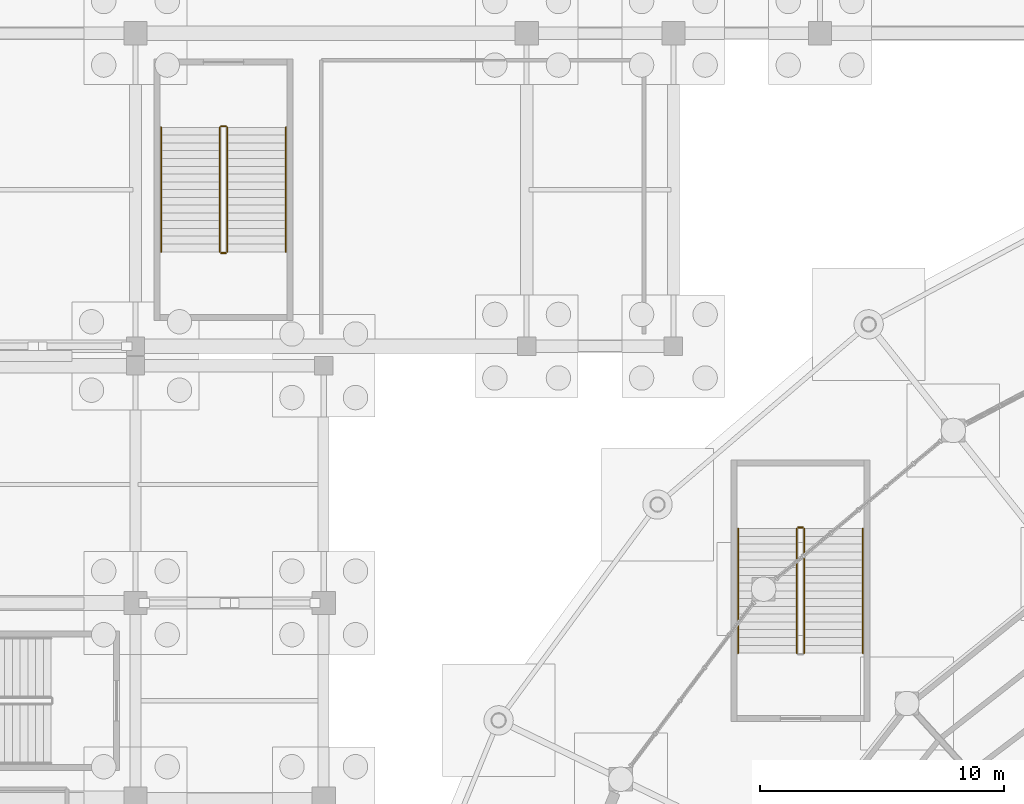
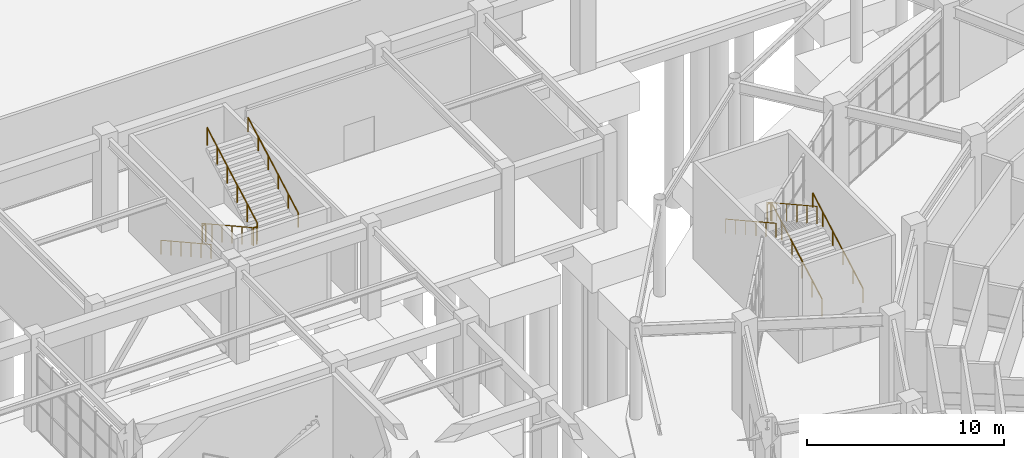
# One storey, part 110 of 121: 11 railings.
"""IFC4 building model written with IfcOpenShell, lengths in metres."""

from ifc_helpers import new_model, si_unit, direction, frame, origin, origin_2d, place, context, subcontext, project, spatial, circle, extrude, material, type_object, element, save


model = new_model("IFC4")

# Units and contexts
model_context = context("Model", 3, precision=1e-05, world=origin(), true_north=direction((0.0, 1.0)))
body_context = subcontext(model_context, "Body", "Model", "MODEL_VIEW")
ifc_project = project(units=[si_unit("LENGTHUNIT", "METRE"), si_unit("AREAUNIT", "SQUARE_METRE"), si_unit("VOLUMEUNIT", "CUBIC_METRE"), si_unit("PLANEANGLEUNIT", "RADIAN"), si_unit("MASSUNIT", "GRAM", prefix="KILO")], contexts=[model_context])

# Site, building, storey
site_placement = place(None, origin())
site = spatial("IfcSite", under=ifc_project, at=site_placement, CompositionType="ELEMENT")
building_placement = place(site_placement, origin())
building = spatial("IfcBuilding", under=site, at=building_placement, Name="Cuetzalor Civic Arena", CompositionType="ELEMENT")
storey_placement = place(building_placement, origin())
storey = spatial("IfcBuildingStorey", under=building, at=storey_placement, Name="L00", CompositionType="ELEMENT", Elevation=0.0)

# Railings
ifc_material_1 = material(Name="Reseda-green architectural Steel S355 balustrade", Category="steel")
railing_type_1 = type_object("IfcRailingType", Name="InteriorVoidBalustrade_1100", PredefinedType="BALUSTRADE", material=ifc_material_1)
railing_1_placement = place(storey_placement, frame((-36.64990234375, 22.949951171875, 0.176513671875)))
element("IfcRailing", 1, at=railing_1_placement, inside=storey, type_object=railing_type_1, Name="L00 ST-04 stair guard 1", PredefinedType="BALUSTRADE", context=body_context, shape_type="SweptSolid", body=[
    extrude(circle(Radius=0.02392578125, at=origin_2d()), frame((0.0, 0.0, 1.0810546875), z_axis=(0.0, 0.874394655587, 0.485215401941), x_axis=(-1.0, 0.0, 0.0)), (0.0, 0.0, 1.0), 5.819091796875),
    extrude(circle(Radius=0.02099609375, at=origin_2d()), origin(), (0.0, 0.0, 1.0), 1.056884765625),
    extrude(circle(Radius=0.02099609375, at=origin_2d()), frame((0.0, 1.017578125, 0.564697265625)), (0.0, 0.0, 1.0), 1.056884765625),
    extrude(circle(Radius=0.02099609375, at=origin_2d()), frame((0.0, 2.03515625, 1.12939453125)), (0.0, 0.0, 1.0), 1.056884765625),
    extrude(circle(Radius=0.02099609375, at=origin_2d()), frame((0.0, 3.052978515625, 1.694091796875)), (0.0, 0.0, 1.0), 1.056884765625),
    extrude(circle(Radius=0.02099609375, at=origin_2d()), frame((0.0, 4.070556640625, 2.2587890625)), (0.0, 0.0, 1.0), 1.056884765625),
    extrude(circle(Radius=0.02099609375, at=origin_2d()), frame((0.0, 5.088134765625, 2.823486328125)), (0.0, 0.0, 1.0), 1.056884765625),
])
railing_2_placement = place(storey_placement, frame((-36.699951171875, 28.087890625, 3.0)))
element("IfcRailing", 2, at=railing_2_placement, inside=storey, type_object=railing_type_1, Name="L00 ST-04 stair guard 2", PredefinedType="BALUSTRADE", context=body_context, shape_type="SweptSolid", body=[
    extrude(circle(Radius=0.02392578125, at=origin_2d()), frame((0.0, 0.0, 1.0810546875), z_axis=(-1.0, 0.0, 0.0), x_axis=(0.0, -1.0, 0.0)), (0.0, 0.0, 1.0), 0.199951171875),
    extrude(circle(Radius=0.02099609375, at=origin_2d()), origin(), (0.0, 0.0, 1.0), 1.056884765625),
    extrude(circle(Radius=0.02099609375, at=origin_2d()), frame((-0.199951171875, 0.0, 0.0)), (0.0, 0.0, 1.0), 1.056884765625),
])
railing_3_placement = place(storey_placement, frame((-36.949951171875, 28.0380859375, 3.176513671875)))
element("IfcRailing", 3, at=railing_3_placement, inside=storey, type_object=railing_type_1, Name="L00 ST-04 stair guard 3", PredefinedType="BALUSTRADE", context=body_context, shape_type="SweptSolid", body=[
    extrude(circle(Radius=0.02392578125, at=origin_2d()), frame((0.0, 0.0, 1.0810546875), z_axis=(0.0, -0.874394655587, 0.485215401941), x_axis=(1.0, 0.0, 0.0)), (0.0, 0.0, 1.0), 5.819091796875),
    extrude(circle(Radius=0.02099609375, at=origin_2d()), origin(), (0.0, 0.0, 1.0), 1.056884765625),
    extrude(circle(Radius=0.02099609375, at=origin_2d()), frame((0.0, -1.017578125, 0.564697265625)), (0.0, 0.0, 1.0), 1.056884765625),
    extrude(circle(Radius=0.02099609375, at=origin_2d()), frame((0.0, -2.03515625, 1.12939453125)), (0.0, 0.0, 1.0), 1.056884765625),
    extrude(circle(Radius=0.02099609375, at=origin_2d()), frame((0.0, -3.052978515625, 1.694091796875)), (0.0, 0.0, 1.0), 1.056884765625),
    extrude(circle(Radius=0.02099609375, at=origin_2d()), frame((0.0, -4.070556640625, 2.2587890625)), (0.0, 0.0, 1.0), 1.056884765625),
    extrude(circle(Radius=0.02099609375, at=origin_2d()), frame((0.0, -5.088134765625, 2.823486328125)), (0.0, 0.0, 1.0), 1.056884765625),
])
railing_4_placement = place(storey_placement, frame((-60.550048828125, 44.449951171875, 0.176513671875)))
element("IfcRailing", 4, at=railing_4_placement, inside=storey, type_object=railing_type_1, Name="L00 ST-23 stair guard 1", PredefinedType="BALUSTRADE", context=body_context, shape_type="SweptSolid", body=[
    extrude(circle(Radius=0.02392578125, at=origin_2d()), frame((0.0, 0.0, 1.0810546875), z_axis=(0.0, -0.874384777292, 0.485233202945), x_axis=(1.0, 0.0, 0.0)), (0.0, 0.0, 1.0), 5.81884765625),
    extrude(circle(Radius=0.02099609375, at=origin_2d()), origin(), (0.0, 0.0, 1.0), 1.056884765625),
    extrude(circle(Radius=0.02099609375, at=origin_2d()), frame((0.0, -1.017578125, 0.564697265625)), (0.0, 0.0, 1.0), 1.056884765625),
    extrude(circle(Radius=0.02099609375, at=origin_2d()), frame((0.0, -2.03515625, 1.12939453125)), (0.0, 0.0, 1.0), 1.056884765625),
    extrude(circle(Radius=0.02099609375, at=origin_2d()), frame((0.0, -3.052734375, 1.694091796875)), (0.0, 0.0, 1.0), 1.056884765625),
    extrude(circle(Radius=0.02099609375, at=origin_2d()), frame((0.0, -4.0703125, 2.2587890625)), (0.0, 0.0, 1.0), 1.056884765625),
    extrude(circle(Radius=0.02099609375, at=origin_2d()), frame((0.0, -5.087890625, 2.823486328125)), (0.0, 0.0, 1.0), 1.056884765625),
])
railing_5_placement = place(storey_placement, frame((-60.5, 39.31201171875, 3.0)))
element("IfcRailing", 5, at=railing_5_placement, inside=storey, type_object=railing_type_1, Name="L00 ST-23 stair guard 2", PredefinedType="BALUSTRADE", context=body_context, shape_type="SweptSolid", body=[
    extrude(circle(Radius=0.02392578125, at=origin_2d()), frame((0.0, 0.0, 1.0810546875), z_axis=(1.0, 0.0, 0.0), x_axis=(0.0, 1.0, 0.0)), (0.0, 0.0, 1.0), 0.199951171875),
    extrude(circle(Radius=0.02099609375, at=origin_2d()), origin(), (0.0, 0.0, 1.0), 1.056884765625),
    extrude(circle(Radius=0.02099609375, at=origin_2d()), frame((0.199951171875, 0.0, 0.0)), (0.0, 0.0, 1.0), 1.056884765625),
])
railing_6_placement = place(storey_placement, frame((-60.25, 39.362060546875, 3.176513671875)))
element("IfcRailing", 6, at=railing_6_placement, inside=storey, type_object=railing_type_1, Name="L00 ST-23 stair guard 3", PredefinedType="BALUSTRADE", context=body_context, shape_type="SweptSolid", body=[
    extrude(circle(Radius=0.02392578125, at=origin_2d()), frame((0.0, 0.0, 1.0810546875), z_axis=(0.0, 0.874384777292, 0.485233202945), x_axis=(-1.0, 0.0, 0.0)), (0.0, 0.0, 1.0), 5.81884765625),
    extrude(circle(Radius=0.02099609375, at=origin_2d()), origin(), (0.0, 0.0, 1.0), 1.056884765625),
    extrude(circle(Radius=0.02099609375, at=origin_2d()), frame((0.0, 1.017578125, 0.564697265625)), (0.0, 0.0, 1.0), 1.056884765625),
    extrude(circle(Radius=0.02099609375, at=origin_2d()), frame((0.0, 2.03515625, 1.12939453125)), (0.0, 0.0, 1.0), 1.056884765625),
    extrude(circle(Radius=0.02099609375, at=origin_2d()), frame((0.0, 3.052734375, 1.694091796875)), (0.0, 0.0, 1.0), 1.056884765625),
    extrude(circle(Radius=0.02099609375, at=origin_2d()), frame((0.0, 4.0703125, 2.2587890625)), (0.0, 0.0, 1.0), 1.056884765625),
    extrude(circle(Radius=0.02099609375, at=origin_2d()), frame((0.0, 5.087890625, 2.823486328125)), (0.0, 0.0, 1.0), 1.056884765625),
])
railing_7_placement = place(storey_placement, frame((-60.5, 44.5, 0.0)))
element("IfcRailing", 7, at=railing_7_placement, inside=storey, type_object=railing_type_1, Name="L00 ST-23 stair guard 4", PredefinedType="BALUSTRADE", context=body_context, shape_type="SweptSolid", body=[
    extrude(circle(Radius=0.02392578125, at=origin_2d()), frame((0.0, 0.0, 1.0810546875), z_axis=(1.0, 0.0, 0.0), x_axis=(0.0, 1.0, 0.0)), (0.0, 0.0, 1.0), 0.199951171875),
    extrude(circle(Radius=0.02099609375, at=origin_2d()), origin(), (0.0, 0.0, 1.0), 1.056884765625),
    extrude(circle(Radius=0.02099609375, at=origin_2d()), frame((0.199951171875, 0.0, 0.0)), (0.0, 0.0, 1.0), 1.056884765625),
])
ifc_material_2 = material(Name="Galvanised steel S355", Category="steel")
railing_type_2 = type_object("IfcRailingType", Name="StairPitchHandrail_900", PredefinedType="HANDRAIL", material=ifc_material_2)
railing_8_placement = place(storey_placement, frame((-34.25, 22.949951171875, 0.176513671875)))
element("IfcRailing", 8, at=railing_8_placement, inside=storey, type_object=railing_type_2, Name="L00 ST-04 stair handrail 1", PredefinedType="HANDRAIL", context=body_context, shape_type="SweptSolid", body=[
    extrude(circle(Radius=0.02392578125, at=origin_2d()), frame((0.0, 0.0, 0.8759765625), z_axis=(0.0, 0.874394655587, 0.485215401941), x_axis=(-1.0, 0.0, 0.0)), (0.0, 0.0, 1.0), 5.819091796875),
    extrude(circle(Radius=0.02099609375, at=origin_2d()), origin(), (0.0, 0.0, 1.0), 0.851806640625),
    extrude(circle(Radius=0.02099609375, at=origin_2d()), frame((0.0, 1.017578125, 0.564697265625)), (0.0, 0.0, 1.0), 0.851806640625),
    extrude(circle(Radius=0.02099609375, at=origin_2d()), frame((0.0, 2.03515625, 1.12939453125)), (0.0, 0.0, 1.0), 0.851806640625),
    extrude(circle(Radius=0.02099609375, at=origin_2d()), frame((0.0, 3.052978515625, 1.694091796875)), (0.0, 0.0, 1.0), 0.851806640625),
    extrude(circle(Radius=0.02099609375, at=origin_2d()), frame((0.0, 4.070556640625, 2.2587890625)), (0.0, 0.0, 1.0), 0.851806640625),
    extrude(circle(Radius=0.02099609375, at=origin_2d()), frame((0.0, 5.088134765625, 2.823486328125)), (0.0, 0.0, 1.0), 0.851806640625),
])
railing_9_placement = place(storey_placement, frame((-39.35009765625, 28.0380859375, 3.176513671875)))
element("IfcRailing", 9, at=railing_9_placement, inside=storey, type_object=railing_type_2, Name="L00 ST-04 stair handrail 2", PredefinedType="HANDRAIL", context=body_context, shape_type="SweptSolid", body=[
    extrude(circle(Radius=0.02392578125, at=origin_2d()), frame((0.0, 0.0, 0.8759765625), z_axis=(0.0, -0.874394655587, 0.485215401941), x_axis=(1.0, 0.0, 0.0)), (0.0, 0.0, 1.0), 5.819091796875),
    extrude(circle(Radius=0.02099609375, at=origin_2d()), origin(), (0.0, 0.0, 1.0), 0.851806640625),
    extrude(circle(Radius=0.02099609375, at=origin_2d()), frame((0.0, -1.017578125, 0.564697265625)), (0.0, 0.0, 1.0), 0.851806640625),
    extrude(circle(Radius=0.02099609375, at=origin_2d()), frame((0.0, -2.03515625, 1.12939453125)), (0.0, 0.0, 1.0), 0.851806640625),
    extrude(circle(Radius=0.02099609375, at=origin_2d()), frame((0.0, -3.052978515625, 1.694091796875)), (0.0, 0.0, 1.0), 0.851806640625),
    extrude(circle(Radius=0.02099609375, at=origin_2d()), frame((0.0, -4.070556640625, 2.2587890625)), (0.0, 0.0, 1.0), 0.851806640625),
    extrude(circle(Radius=0.02099609375, at=origin_2d()), frame((0.0, -5.088134765625, 2.823486328125)), (0.0, 0.0, 1.0), 0.851806640625),
])
railing_10_placement = place(storey_placement, frame((-62.949951171875, 44.449951171875, 0.176513671875)))
element("IfcRailing", 10, at=railing_10_placement, inside=storey, type_object=railing_type_2, Name="L00 ST-23 stair handrail 1", PredefinedType="HANDRAIL", context=body_context, shape_type="SweptSolid", body=[
    extrude(circle(Radius=0.02392578125, at=origin_2d()), frame((0.0, 0.0, 0.8759765625), z_axis=(0.0, -0.874384777292, 0.485233202945), x_axis=(1.0, 0.0, 0.0)), (0.0, 0.0, 1.0), 5.81884765625),
    extrude(circle(Radius=0.02099609375, at=origin_2d()), origin(), (0.0, 0.0, 1.0), 0.851806640625),
    extrude(circle(Radius=0.02099609375, at=origin_2d()), frame((0.0, -1.017578125, 0.564697265625)), (0.0, 0.0, 1.0), 0.851806640625),
    extrude(circle(Radius=0.02099609375, at=origin_2d()), frame((0.0, -2.03515625, 1.12939453125)), (0.0, 0.0, 1.0), 0.851806640625),
    extrude(circle(Radius=0.02099609375, at=origin_2d()), frame((0.0, -3.052734375, 1.694091796875)), (0.0, 0.0, 1.0), 0.851806640625),
    extrude(circle(Radius=0.02099609375, at=origin_2d()), frame((0.0, -4.0703125, 2.2587890625)), (0.0, 0.0, 1.0), 0.851806640625),
    extrude(circle(Radius=0.02099609375, at=origin_2d()), frame((0.0, -5.087890625, 2.823486328125)), (0.0, 0.0, 1.0), 0.851806640625),
])
railing_11_placement = place(storey_placement, frame((-57.85009765625, 39.362060546875, 3.176513671875)))
element("IfcRailing", 11, at=railing_11_placement, inside=storey, type_object=railing_type_2, Name="L00 ST-23 stair handrail 2", PredefinedType="HANDRAIL", context=body_context, shape_type="SweptSolid", body=[
    extrude(circle(Radius=0.02392578125, at=origin_2d()), frame((0.0, 0.0, 0.8759765625), z_axis=(0.0, 0.874384777292, 0.485233202945), x_axis=(-1.0, 0.0, 0.0)), (0.0, 0.0, 1.0), 5.81884765625),
    extrude(circle(Radius=0.02099609375, at=origin_2d()), origin(), (0.0, 0.0, 1.0), 0.851806640625),
    extrude(circle(Radius=0.02099609375, at=origin_2d()), frame((0.0, 1.017578125, 0.564697265625)), (0.0, 0.0, 1.0), 0.851806640625),
    extrude(circle(Radius=0.02099609375, at=origin_2d()), frame((0.0, 2.03515625, 1.12939453125)), (0.0, 0.0, 1.0), 0.851806640625),
    extrude(circle(Radius=0.02099609375, at=origin_2d()), frame((0.0, 3.052734375, 1.694091796875)), (0.0, 0.0, 1.0), 0.851806640625),
    extrude(circle(Radius=0.02099609375, at=origin_2d()), frame((0.0, 4.0703125, 2.2587890625)), (0.0, 0.0, 1.0), 0.851806640625),
    extrude(circle(Radius=0.02099609375, at=origin_2d()), frame((0.0, 5.087890625, 2.823486328125)), (0.0, 0.0, 1.0), 0.851806640625),
])

save(model, "model.ifc")
